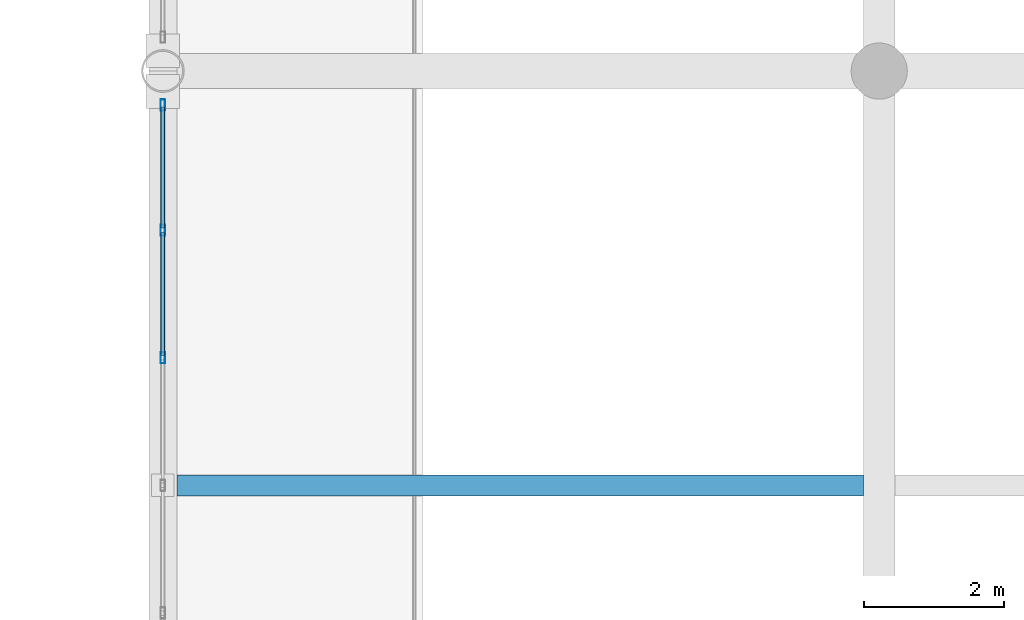
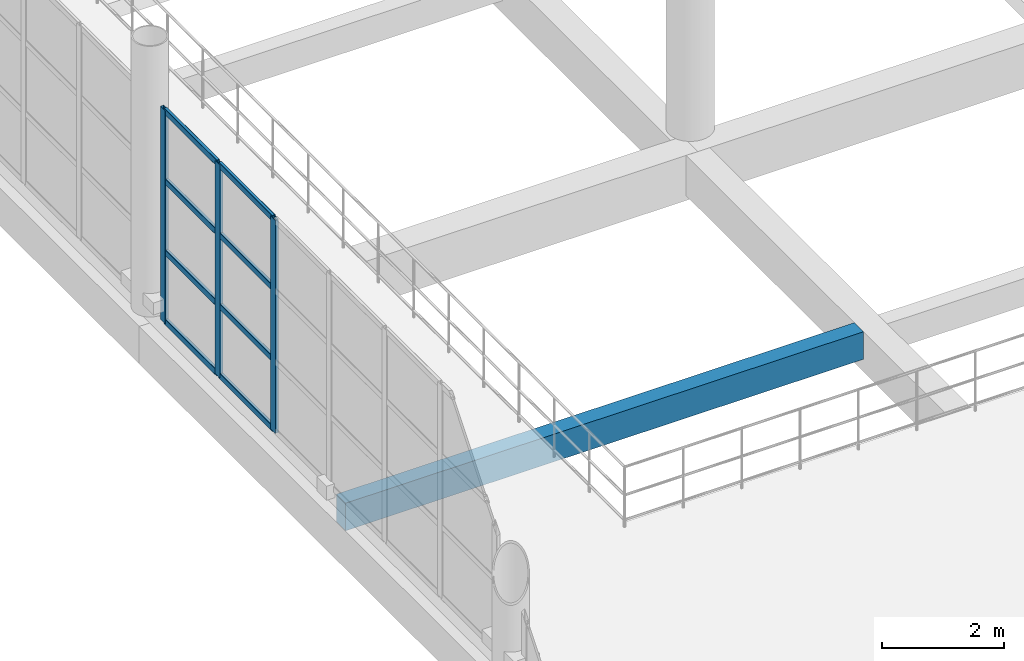
# One storey, part 55 of 175: 11 members, 1 beam, 1 element without a shape of its own.
"""IFC4 building model written with IfcOpenShell, lengths in metres."""

import ifcopenshell
import ifcopenshell.guid

model = None  # the IFC model being written
_history = None  # IfcOwnerHistory: only IFC2X3 demands one
_inside = {}  # id of a spatial element -> (the spatial element, [elements in it])
_under = {}  # id of a project, library or spatial element -> (it, [spatial elements below it])
_declared = {}  # id of a project -> (the project, [libraries it declares])
_typed = {}  # id of a type object -> (the type object, [elements of that type])
_made_of = {}  # id of a material, layer set ... -> (it, [elements and type objects made of it])


def new_model(schema):
    """Start an empty IFC model of exactly this schema.

    Asked for "IFC4X3", IfcOpenShell would pick the latest addendum, in which some entities
    have other attributes; the version numbers below select the first issue.
    IFC2X3 requires an IfcOwnerHistory on every rooted entity: one is made here for all.
    """
    global model, _history
    if schema == "IFC4X3":
        model = ifcopenshell.file(schema_version=(4, 3, 0, 0))
    else:
        model = ifcopenshell.file(schema=schema)
    _inside.clear()
    _under.clear()
    _declared.clear()
    _typed.clear()
    _made_of.clear()
    _history = None
    if model.schema == "IFC2X3":
        org = make("IfcOrganization", Name="unknown")
        user = make(
            "IfcPersonAndOrganization",
            ThePerson=make("IfcPerson", FamilyName="unknown"),
            TheOrganization=org,
        )
        app = make(
            "IfcApplication",
            ApplicationDeveloper=org,
            Version="unknown",
            ApplicationFullName="unknown",
            ApplicationIdentifier="unknown",
        )
        _history = make(
            "IfcOwnerHistory",
            OwningUser=user,
            OwningApplication=app,
            ChangeAction="ADDED",
            CreationDate=0,
        )
    return model


def make(cls, **values):
    """One entity of the class cls with the attributes given. An attribute that is None is left unset."""
    return model.create_entity(
        cls, **{name: value for name, value in values.items() if value is not None}
    )


def rooted(cls, **values):
    """An entity with a GlobalId (a new one), such as an element, a storey or a relation."""
    return make(cls, GlobalId=ifcopenshell.guid.new(), OwnerHistory=_history, **values)


def si_unit(unit_type, name, prefix=None):
    """IfcSIUnit, for example si_unit("LENGTHUNIT", "METRE", prefix="MILLI")."""
    return make("IfcSIUnit", UnitType=unit_type, Prefix=prefix, Name=name)


def assignment(units):
    """IfcUnitAssignment: the units of a project."""
    return None if units is None else make("IfcUnitAssignment", Units=units)


def point(xyz):
    """IfcCartesianPoint."""
    return None if xyz is None else make("IfcCartesianPoint", Coordinates=xyz)


def direction(xyz):
    """IfcDirection."""
    return None if xyz is None else make("IfcDirection", DirectionRatios=xyz)


def frame(location, z_axis=None, x_axis=None):
    """IfcAxis2Placement3D, a coordinate frame: its origin and axes. An axis left out is left unset."""
    return make(
        "IfcAxis2Placement3D",
        Location=point(location),
        Axis=direction(z_axis),
        RefDirection=direction(x_axis),
    )


def frame_2d(location, x_axis=None):
    """IfcAxis2Placement2D, a coordinate frame in the plane: its origin and x axis."""
    return make(
        "IfcAxis2Placement2D", Location=point(location), RefDirection=direction(x_axis)
    )


def origin():
    """The frame at (0, 0, 0) with its axes left unset."""
    return frame((0.0, 0.0, 0.0))


def origin_2d():
    """The frame at (0, 0) in the plane with its x axis left unset."""
    return frame_2d((0.0, 0.0))


def place(relative_to, where):
    """IfcLocalPlacement: puts the frame where relative to a parent placement (None: the world)."""
    return make(
        "IfcLocalPlacement", PlacementRelTo=relative_to, RelativePlacement=where
    )


def context(
    kind, dimensions, precision=None, world=None, true_north=None, identifier=None
):
    """IfcGeometricRepresentationContext, for example the 3D "Model" context."""
    return make(
        "IfcGeometricRepresentationContext",
        ContextIdentifier=identifier,
        ContextType=kind,
        CoordinateSpaceDimension=dimensions,
        Precision=precision,
        WorldCoordinateSystem=world,
        TrueNorth=true_north,
    )


def subcontext(parent, identifier, kind, view, scale=None):
    """IfcGeometricRepresentationSubContext, for example "Body" below "Model"."""
    return make(
        "IfcGeometricRepresentationSubContext",
        ContextIdentifier=identifier,
        ContextType=kind,
        ParentContext=parent,
        TargetScale=scale,
        TargetView=view,
    )


def project(units=None, contexts=None):
    """IfcProject with its units and contexts."""
    return rooted(
        "IfcProject",
        Name="project",
        RepresentationContexts=contexts,
        UnitsInContext=assignment(units),
    )


def spatial(cls, under=None, at=None, **own):
    """A site, building, storey or space (cls), placed at a placement, below another one or the project."""
    s = rooted(cls, ObjectPlacement=at, **own)
    if under is not None:
        _under.setdefault(under.id(), (under, []))[1].append(s)
    return s


def profile(cls, at=None, kind="AREA", **sizes):
    """A parametric profile (cls). Its sizes go by their IFC names, for example OverallWidth=200.0."""
    return make(cls, ProfileType=kind, Position=at, **sizes)


def rectangle(**sizes):
    """IfcRectangleProfileDef."""
    return profile("IfcRectangleProfileDef", **sizes)


def hollow_rectangle(**sizes):
    """IfcRectangleHollowProfileDef."""
    return profile("IfcRectangleHollowProfileDef", **sizes)


def extrude(swept, where, along, depth):
    """IfcExtrudedAreaSolid: the profile swept, set in the frame where, extruded along a direction by depth."""
    return make(
        "IfcExtrudedAreaSolid",
        SweptArea=swept,
        Position=where,
        ExtrudedDirection=direction(along),
        Depth=depth,
    )


def shape(context_of_items, identifier, shape_type, items):
    """IfcShapeRepresentation: the items that make up one representation, for example the "Body"."""
    return make(
        "IfcShapeRepresentation",
        ContextOfItems=context_of_items,
        RepresentationIdentifier=identifier,
        RepresentationType=shape_type,
        Items=items,
    )


def material(Name=None, Category=None):
    """IfcMaterial."""
    return make("IfcMaterial", Name=Name, Category=Category)


def material_profile(
    of_material, cross_section, Name=None, Category=None, Priority=None
):
    """IfcMaterialProfile: a cross section and its material."""
    return make(
        "IfcMaterialProfile",
        Name=Name,
        Material=of_material,
        Profile=cross_section,
        Priority=Priority,
        Category=Category,
    )


def profile_set(profiles, Name=None, composite=None):
    """IfcMaterialProfileSet."""
    return make(
        "IfcMaterialProfileSet",
        Name=Name,
        MaterialProfiles=profiles,
        CompositeProfile=composite,
    )


def made_of(thing, what):
    """Note that an element or type object is made of a material, layer set ...; save() writes the relation."""
    if what is not None:
        _made_of.setdefault(what.id(), (what, []))[1].append(thing)
    return thing


def type_object(cls, material=None, **own):
    """A type object (cls), such as IfcWallType, which elements share."""
    return made_of(rooted(cls, **own), material)


def element(
    cls,
    number,
    at=None,
    inside=None,
    cuts=None,
    type_object=None,
    material=None,
    context=None,
    identifier="Body",
    shape_type=None,
    held_by="IfcProductDefinitionShape",
    body=None,
    shapes=None,
    **own,
):
    """One element of the class cls, such as IfcWall. Its Tag is "e" and its number.

    at: its placement. inside: the storey or other place that contains it. cuts: it is an
    opening in that element (IfcRelVoidsElement). A single representation is given by context,
    identifier, shape_type and body (its items); several are given by shapes. held_by: the class
    of the entity that holds the representations. save() writes the other relations.
    """
    e = rooted(cls, Tag="e%d" % number, ObjectPlacement=at, **own)
    if body is not None:
        shapes = [shape(context, identifier, shape_type, body)]
    if shapes is not None:
        e.Representation = make(held_by, Representations=shapes)
    if inside is not None:
        _inside.setdefault(inside.id(), (inside, []))[1].append(e)
    if cuts is not None:
        rooted(
            "IfcRelVoidsElement", RelatingBuildingElement=cuts, RelatedOpeningElement=e
        )
    if type_object is not None:
        _typed.setdefault(type_object.id(), (type_object, []))[1].append(e)
    return made_of(e, material)


def aggregate(whole, parts):
    """IfcRelAggregates: a whole, such as a stair, and the parts it consists of."""
    return rooted("IfcRelAggregates", RelatingObject=whole, RelatedObjects=parts)


def save(model, path):
    """Write the relations noted so far, then the file.

    IfcRelAggregates (storeys below a building ...), IfcRelContainedInSpatialStructure (elements
    in a storey), IfcRelDefinesByType, IfcRelAssociatesMaterial and IfcRelDeclares: one each for
    every whole, place, type object, material and project.
    """
    for whole, parts in _under.values():
        aggregate(whole, parts)
    for where, things in _inside.values():
        rooted(
            "IfcRelContainedInSpatialStructure",
            RelatedElements=things,
            RelatingStructure=where,
        )
    for kind, things in _typed.values():
        rooted("IfcRelDefinesByType", RelatedObjects=things, RelatingType=kind)
    for what, things in _made_of.values():
        rooted("IfcRelAssociatesMaterial", RelatedObjects=things, RelatingMaterial=what)
    for by, libraries in _declared.values():
        rooted("IfcRelDeclares", RelatingContext=by, RelatedDefinitions=libraries)
    model.write(path)


model = new_model("IFC4")

# Units and contexts
model_context = context("Model", 3, precision=1e-05, world=origin(), true_north=direction((0.0, 1.0)))
body_context = subcontext(model_context, "Body", "Model", "MODEL_VIEW")
ifc_project = project(units=[si_unit("LENGTHUNIT", "METRE"), si_unit("AREAUNIT", "SQUARE_METRE"), si_unit("VOLUMEUNIT", "CUBIC_METRE"), si_unit("PLANEANGLEUNIT", "RADIAN"), si_unit("MASSUNIT", "GRAM", prefix="KILO")], contexts=[model_context])

# Site, building, storey
site_placement = place(None, origin())
site = spatial("IfcSite", under=ifc_project, at=site_placement, CompositionType="ELEMENT")
building_placement = place(site_placement, origin())
building = spatial("IfcBuilding", under=site, at=building_placement, Name="Brelvane Convention Centre", CompositionType="ELEMENT")
storey_placement = place(building_placement, frame((0.0, 0.0, 5.39990234375)))
storey = spatial("IfcBuildingStorey", under=building, at=storey_placement, Name="L01", CompositionType="ELEMENT", Elevation=5.39990234375)

# Curtain wall, members
ifc_material_1 = material(Name="Anodised Aluminium Alloy 6063-T6", Category="aluminium")
curtain_wall_type = type_object("IfcCurtainWallType", Name="Curtain Wall CW-CONC", PredefinedType="USERDEFINED", material=ifc_material_1)
curtain_wall_placement = place(storey_placement, origin())
curtain_wall = element("IfcCurtainWall", 1, at=curtain_wall_placement, inside=storey, type_object=curtain_wall_type, Name="Curtain Wall CW-CONC L01-GAL-ATRIUM-W-2", ObjectType="UNITISED", PredefinedType="USERDEFINED")
ifc_material_2 = material(Name="Anodised Aluminium Alloy 6063-T6", Category="aluminium")
ifc_material_profile_1 = material_profile(ifc_material_2, hollow_rectangle(XDim=0.06494140625, YDim=0.159912109375, WallThickness=0.00390625, InnerFilletRadius=0.00390625, OuterFilletRadius=0.008056640625, at=origin_2d()), Name="ALU-M 160x65x4.0")
ifc_profile_set_1 = profile_set([ifc_material_profile_1], Name="Anodised Aluminium Alloy 6063-T6")
member_type_1 = type_object("IfcMemberType", Name="Curtain Mullion CW-M3", PredefinedType="MULLION", material=ifc_profile_set_1)
member_1_placement = place(storey_placement, frame((142.800048828125, 60.11669921875, 0.0), z_axis=(0.0, 0.0, 1.0), x_axis=(-1.0, 0.0, 0.0)))
member_1 = element("IfcMember", 2, at=member_1_placement, type_object=member_type_1, Name="CW-CONC mullion 5", PredefinedType="MULLION", context=body_context, shape_type="SweptSolid", body=[
    extrude(hollow_rectangle(XDim=0.06494140625, YDim=0.159912109375, WallThickness=0.00390625, InnerFilletRadius=0.00390625, OuterFilletRadius=0.008056640625, at=origin_2d()), origin(), (0.0, 0.0, 1.0), 4.25),
])
member_2_placement = place(storey_placement, frame((142.800048828125, 61.933349609375, 0.0), z_axis=(0.0, 0.0, 1.0), x_axis=(-1.0, 0.0, 0.0)))
member_2 = element("IfcMember", 3, at=member_2_placement, type_object=member_type_1, Name="CW-CONC mullion 6", PredefinedType="MULLION", context=body_context, shape_type="SweptSolid", body=[
    extrude(hollow_rectangle(XDim=0.06494140625, YDim=0.159912109375, WallThickness=0.00390625, InnerFilletRadius=0.00390625, OuterFilletRadius=0.008056640625, at=origin_2d()), origin(), (0.0, 0.0, 1.0), 4.25),
])
member_3_placement = place(storey_placement, frame((142.800048828125, 63.717529296875, 0.0), z_axis=(0.0, 0.0, 1.0), x_axis=(-1.0, 0.0, 0.0)))
member_3 = element("IfcMember", 4, at=member_3_placement, type_object=member_type_1, Name="CW-CONC mullion 7", PredefinedType="MULLION", context=body_context, shape_type="SweptSolid", body=[
    extrude(hollow_rectangle(XDim=0.06494140625, YDim=0.159912109375, WallThickness=0.00390625, InnerFilletRadius=0.00390625, OuterFilletRadius=0.008056640625, at=origin_2d()), origin(), (0.0, 0.0, 1.0), 4.25),
])
ifc_material_3 = material(Name="Anodised Aluminium Alloy 6063-T6", Category="aluminium")
ifc_material_profile_2 = material_profile(ifc_material_3, hollow_rectangle(XDim=0.06005859375, YDim=0.1201171875, WallThickness=0.00390625, InnerFilletRadius=0.00390625, OuterFilletRadius=0.008056640625, at=origin_2d()), Name="ALU-T 120x60x4.0")
ifc_profile_set_2 = profile_set([ifc_material_profile_2], Name="Anodised Aluminium Alloy 6063-T6")
member_type_2 = type_object("IfcMemberType", Name="Curtain Transom CW-T3", PredefinedType="USERDEFINED", material=ifc_profile_set_2)
member_4_placement = place(storey_placement, frame((142.800048828125, 60.149169921875, 0.030029296875), z_axis=(0.0, 1.0, 0.0), x_axis=(-1.0, 0.0, 0.0)))
member_4 = element("IfcMember", 5, at=member_4_placement, type_object=member_type_2, Name="CW-CONC transom 5.1", ObjectType="TRANSOM", PredefinedType="USERDEFINED", context=body_context, shape_type="SweptSolid", body=[
    extrude(hollow_rectangle(XDim=0.06005859375, YDim=0.1201171875, WallThickness=0.00390625, InnerFilletRadius=0.00390625, OuterFilletRadius=0.008056640625, at=origin_2d()), origin(), (0.0, 0.0, 1.0), 1.751708984375),
])
member_5_placement = place(storey_placement, frame((142.800048828125, 60.149169921875, 1.416748046875), z_axis=(0.0, 1.0, 0.0), x_axis=(-1.0, 0.0, 0.0)))
member_5 = element("IfcMember", 6, at=member_5_placement, type_object=member_type_2, Name="CW-CONC transom 5.2", ObjectType="TRANSOM", PredefinedType="USERDEFINED", context=body_context, shape_type="SweptSolid", body=[
    extrude(hollow_rectangle(XDim=0.06005859375, YDim=0.1201171875, WallThickness=0.00390625, InnerFilletRadius=0.00390625, OuterFilletRadius=0.008056640625, at=origin_2d()), origin(), (0.0, 0.0, 1.0), 1.751708984375),
])
member_6_placement = place(storey_placement, frame((142.800048828125, 60.149169921875, 2.83349609375), z_axis=(0.0, 1.0, 0.0), x_axis=(-1.0, 0.0, 0.0)))
member_6 = element("IfcMember", 7, at=member_6_placement, type_object=member_type_2, Name="CW-CONC transom 5.3", ObjectType="TRANSOM", PredefinedType="USERDEFINED", context=body_context, shape_type="SweptSolid", body=[
    extrude(hollow_rectangle(XDim=0.06005859375, YDim=0.1201171875, WallThickness=0.00390625, InnerFilletRadius=0.00390625, OuterFilletRadius=0.008056640625, at=origin_2d()), origin(), (0.0, 0.0, 1.0), 1.751708984375),
])
member_7_placement = place(storey_placement, frame((142.800048828125, 60.149169921875, 4.22021484375), z_axis=(0.0, 1.0, 0.0), x_axis=(-1.0, 0.0, 0.0)))
member_7 = element("IfcMember", 8, at=member_7_placement, type_object=member_type_2, Name="CW-CONC transom 5.4", ObjectType="TRANSOM", PredefinedType="USERDEFINED", context=body_context, shape_type="SweptSolid", body=[
    extrude(hollow_rectangle(XDim=0.06005859375, YDim=0.1201171875, WallThickness=0.00390625, InnerFilletRadius=0.00390625, OuterFilletRadius=0.008056640625, at=origin_2d()), origin(), (0.0, 0.0, 1.0), 1.751708984375),
])
member_8_placement = place(storey_placement, frame((142.800048828125, 61.9658203125, 0.030029296875), z_axis=(0.0, 1.0, 0.0), x_axis=(-1.0, 0.0, 0.0)))
member_8 = element("IfcMember", 9, at=member_8_placement, type_object=member_type_2, Name="CW-CONC transom 6.1", ObjectType="TRANSOM", PredefinedType="USERDEFINED", context=body_context, shape_type="SweptSolid", body=[
    extrude(hollow_rectangle(XDim=0.06005859375, YDim=0.1201171875, WallThickness=0.00390625, InnerFilletRadius=0.00390625, OuterFilletRadius=0.008056640625, at=origin_2d()), origin(), (0.0, 0.0, 1.0), 1.71923828125),
])
member_9_placement = place(storey_placement, frame((142.800048828125, 61.9658203125, 1.416748046875), z_axis=(0.0, 1.0, 0.0), x_axis=(-1.0, 0.0, 0.0)))
member_9 = element("IfcMember", 10, at=member_9_placement, type_object=member_type_2, Name="CW-CONC transom 6.2", ObjectType="TRANSOM", PredefinedType="USERDEFINED", context=body_context, shape_type="SweptSolid", body=[
    extrude(hollow_rectangle(XDim=0.06005859375, YDim=0.1201171875, WallThickness=0.00390625, InnerFilletRadius=0.00390625, OuterFilletRadius=0.008056640625, at=origin_2d()), origin(), (0.0, 0.0, 1.0), 1.71923828125),
])
member_10_placement = place(storey_placement, frame((142.800048828125, 61.9658203125, 2.83349609375), z_axis=(0.0, 1.0, 0.0), x_axis=(-1.0, 0.0, 0.0)))
member_10 = element("IfcMember", 11, at=member_10_placement, type_object=member_type_2, Name="CW-CONC transom 6.3", ObjectType="TRANSOM", PredefinedType="USERDEFINED", context=body_context, shape_type="SweptSolid", body=[
    extrude(hollow_rectangle(XDim=0.06005859375, YDim=0.1201171875, WallThickness=0.00390625, InnerFilletRadius=0.00390625, OuterFilletRadius=0.008056640625, at=origin_2d()), origin(), (0.0, 0.0, 1.0), 1.71923828125),
])
member_11_placement = place(storey_placement, frame((142.800048828125, 61.9658203125, 4.22021484375), z_axis=(0.0, 1.0, 0.0), x_axis=(-1.0, 0.0, 0.0)))
member_11 = element("IfcMember", 12, at=member_11_placement, type_object=member_type_2, Name="CW-CONC transom 6.4", ObjectType="TRANSOM", PredefinedType="USERDEFINED", context=body_context, shape_type="SweptSolid", body=[
    extrude(hollow_rectangle(XDim=0.06005859375, YDim=0.1201171875, WallThickness=0.00390625, InnerFilletRadius=0.00390625, OuterFilletRadius=0.008056640625, at=origin_2d()), origin(), (0.0, 0.0, 1.0), 1.71923828125),
])
aggregate(curtain_wall, [member_1, member_2, member_3, member_4, member_5, member_6, member_7, member_8, member_9, member_10, member_11])

# Beam
ifc_material_4 = material(Name="Concrete M40", Category="concrete")
ifc_material_profile_3 = material_profile(ifc_material_4, rectangle(XDim=0.300048828125, YDim=0.550048828125, at=origin_2d()), Name="RC 300x550")
ifc_profile_set_3 = profile_set([ifc_material_profile_3], Name="Concrete M40")
beam_type = type_object("IfcBeamType", Name="RC Joist J-RC1 (RC 300x550)", PredefinedType="JOIST", material=ifc_profile_set_3)
beam_placement = place(storey_placement, frame((143.0, 58.300048828125, -0.60498046875), z_axis=(1.0, 0.0, 0.0), x_axis=(0.0, 1.0, 0.0)))
element("IfcBeam", 13, at=beam_placement, inside=storey, type_object=beam_type, Name="L01 Secondary Joist 15-16/FG", PredefinedType="JOIST", context=body_context, shape_type="SweptSolid", body=[
    extrude(rectangle(XDim=0.300048828125, YDim=0.550048828125, at=origin_2d()), origin(), (0.0, 0.0, 1.0), 9.77490234375),
])

save(model, "model.ifc")
